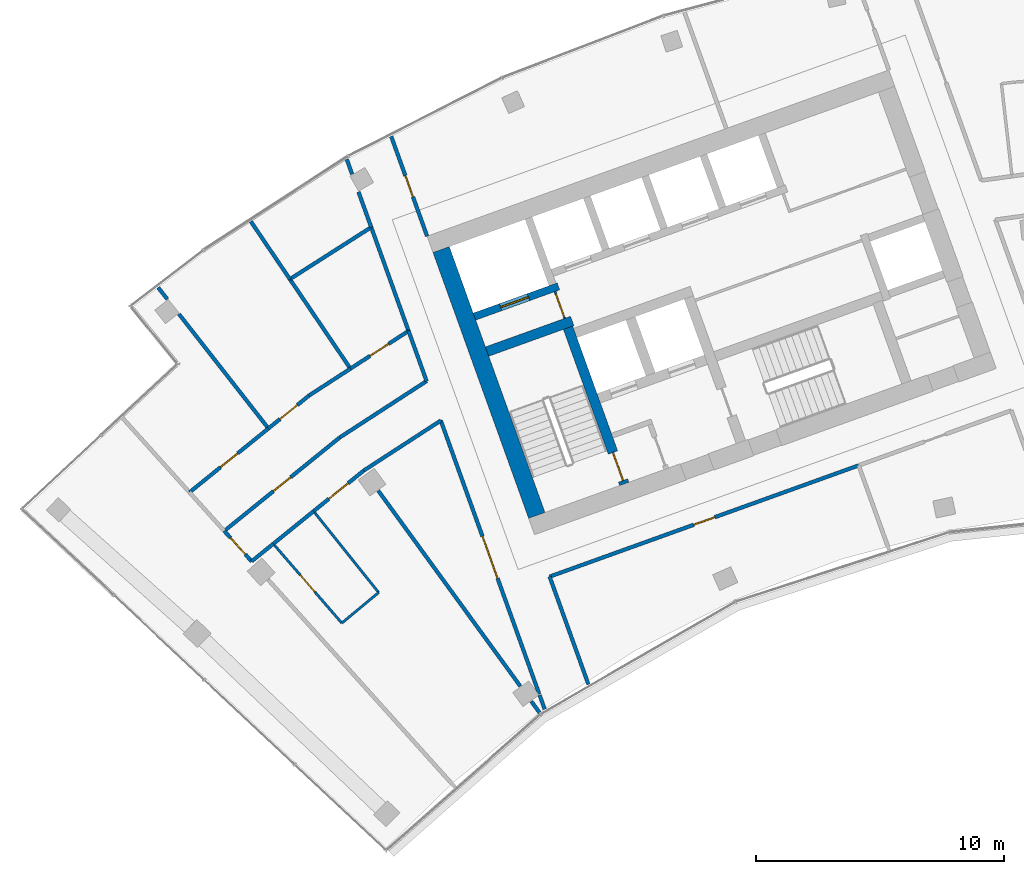
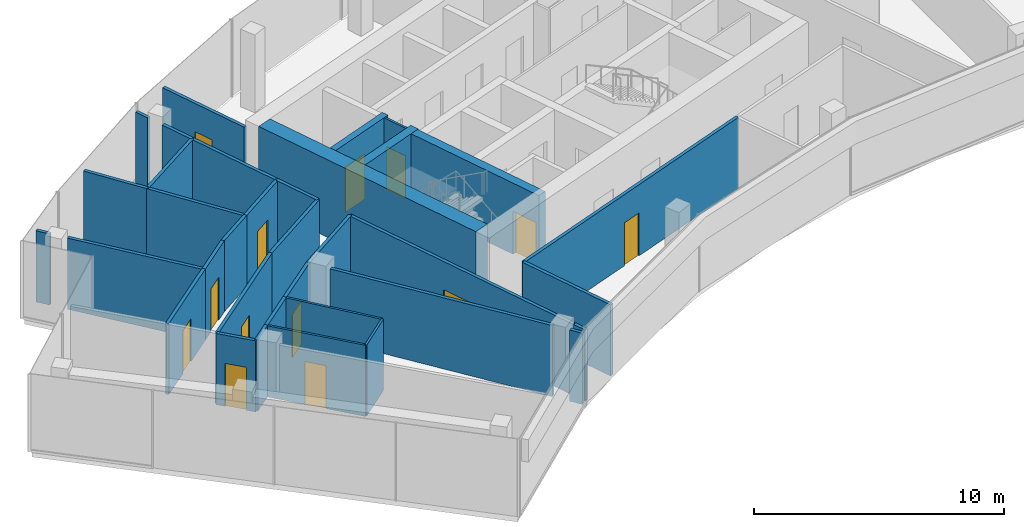
# One storey, part 12 of 18: 35 walls, 13 doors, 13 openings.
"""IFC4 building model written with IfcOpenShell, lengths in metres."""

from ifc_helpers import new_model, si_unit, direction, frame, frame_2d, origin, place, context, subcontext, project, spatial, rectangle, extrude, material, layer, layer_set, type_object, element, fill, save


model = new_model("IFC4")

# Units and contexts
model_context = context("Model", 3, precision=1e-05, world=origin(), true_north=direction((0.0, 1.0)))
body_context = subcontext(model_context, "Body", "Model", "MODEL_VIEW")
ifc_project = project(units=[si_unit("LENGTHUNIT", "METRE"), si_unit("AREAUNIT", "SQUARE_METRE"), si_unit("VOLUMEUNIT", "CUBIC_METRE"), si_unit("PLANEANGLEUNIT", "RADIAN"), si_unit("MASSUNIT", "GRAM", prefix="KILO")], contexts=[model_context])

# Site, building, storey
site_placement = place(None, origin())
site = spatial("IfcSite", under=ifc_project, at=site_placement, CompositionType="ELEMENT")
building_placement = place(site_placement, origin())
building = spatial("IfcBuilding", under=site, at=building_placement, Name="Stone Belt Terrace Tower", CompositionType="ELEMENT")
storey_placement = place(building_placement, frame((0.0, 0.0, 284.60009765625)))
storey = spatial("IfcBuildingStorey", under=building, at=storey_placement, Name="L69", CompositionType="ELEMENT", Elevation=284.60009765625)

# Wall, opening, door
ifc_material_1 = material(Name="Plasterboard partition")
ifc_layer_1 = layer(ifc_material_1, 0.10009765625)
ifc_layer_set_1 = layer_set([ifc_layer_1], Name="Core partition 100")
wall_type_1 = type_object("IfcWallType", Name="Core partition 100", PredefinedType="PARTITIONING", material=ifc_layer_set_1)
wall_1_placement = place(storey_placement, frame((-24.555908203125, 51.10400390625, 0.0), z_axis=(0.0, 0.0, 1.0), x_axis=(-0.338621735342, 0.94092258999, 0.0)))
wall_1 = element("IfcWall", 1, at=wall_1_placement, inside=storey, type_object=wall_type_1, Name="Core A wall", PredefinedType="PARTITIONING", context=body_context, shape_type="SweptSolid", body=[
    extrude(rectangle(XDim=1.14990234375, YDim=0.10009765625, at=frame_2d((0.574951171875, 0.0))), origin(), (0.0, 0.0, 1.0), 3.47998046875),
])
opening_1_placement = place(wall_1_placement, frame((0.050048828125, 0.0, 0.0)))
opening_1 = element("IfcOpeningElement", 2, at=opening_1_placement, cuts=wall_1, Name="Opening L69-C03", PredefinedType="OPENING", context=body_context, shape_type="SweptSolid", body=[
    extrude(rectangle(XDim=1.0, YDim=2.10009765625, at=frame_2d((0.5, 1.050048828125))), frame((0.0, 0.06005859375, 0.0), z_axis=(0.0, -1.0, 0.0), x_axis=(1.0, 0.0, 0.0)), (0.0, 0.0, 1.0), 0.1201171875),
])
ifc_material_2 = material(Name="Timber door leaf", Category="wood")
door_type_1 = type_object("IfcDoorType", Name="Core room door 1000", OperationType="SINGLE_SWING_LEFT", PredefinedType="DOOR", material=ifc_material_2)
door_1_placement = place(opening_1_placement, origin())
door_1 = element("IfcDoor", 3, at=door_1_placement, inside=storey, type_object=door_type_1, Name="Service lift lobby door core A", OperationType="SINGLE_SWING_RIGHT", OverallHeight=2.10009765625, OverallWidth=1.0, PredefinedType="DOOR", context=body_context, shape_type="SweptSolid", body=[
    extrude(rectangle(XDim=1.0, YDim=2.10009765625, at=frame_2d((0.5, 1.050048828125))), frame((0.0, 0.02490234375, 0.0), z_axis=(0.0, -1.0, 0.0), x_axis=(1.0, 0.0, 0.0)), (0.0, 0.0, 1.0), 0.050048828125),
])
fill(opening_1, door_1)

# Wall
ifc_material_3 = material(Name="Concrete B60", Category="concrete")
ifc_layer_2 = layer(ifc_material_3, 0.699951171875)
ifc_layer_set_2 = layer_set([ifc_layer_2], Name="Core wall 700 B60")
wall_type_2 = type_object("IfcWallType", Name="Core wall 700 B60", PredefinedType="SHEAR", material=ifc_layer_set_2)
wall_2_placement = place(storey_placement, frame((-25.679931640625, 43.153564453125, 0.0), z_axis=(0.0, 0.0, 1.0), x_axis=(-0.338625431531, 0.940921259788, 0.0)))
element("IfcWall", 4, at=wall_2_placement, inside=storey, type_object=wall_type_2, Name="Core A wall end_a L69", PredefinedType="SHEAR", context=body_context, shape_type="SweptSolid", body=[
    extrude(rectangle(XDim=11.400146484375, YDim=0.699951171875, at=frame_2d((5.7001953125, 0.0))), origin(), (0.0, 0.0, 1.0), 3.7998046875),
])

# Wall, opening, door
ifc_material_4 = material(Name="Concrete B80", Category="concrete")
ifc_layer_3 = layer(ifc_material_4, 0.300048828125)
ifc_layer_set_3 = layer_set([ifc_layer_3], Name="Lift shaft wall 300")
wall_type_3 = type_object("IfcWallType", Name="Lift shaft wall 300", PredefinedType="SHEAR", material=ifc_layer_set_3)
wall_3_placement = place(storey_placement, frame((-28.195068359375, 51.17578125, 0.0), z_axis=(0.0, 0.0, 1.0), x_axis=(0.940901243567, 0.338681044427, 0.0)))
wall_3 = element("IfcWall", 5, at=wall_3_placement, inside=storey, type_object=wall_type_3, Name="Core A wall", PredefinedType="SHEAR", context=body_context, shape_type="SweptSolid", body=[
    extrude(rectangle(XDim=3.599853515625, YDim=0.300048828125, at=frame_2d((1.7998046875, 0.0))), origin(), (0.0, 0.0, 1.0), 3.47998046875),
])
opening_2_placement = place(wall_3_placement, frame((1.1201171875, 0.0, 0.0)))
opening_2 = element("IfcOpeningElement", 6, at=opening_2_placement, cuts=wall_3, Name="Opening L69-LD07", PredefinedType="OPENING", context=body_context, shape_type="SweptSolid", body=[
    extrude(rectangle(XDim=1.199951171875, YDim=2.199951171875, at=frame_2d((0.60009765625, 1.10009765625))), frame((0.0, 0.159912109375, 0.0), z_axis=(0.0, -1.0, 0.0), x_axis=(1.0, 0.0, 0.0)), (0.0, 0.0, 1.0), 0.320068359375),
])
ifc_material_5 = material(Name="Stainless steel door leaf", Category="steel")
door_type_2 = type_object("IfcDoorType", Name="Landing door 1200", OperationType="SLIDING_TO_LEFT", PredefinedType="DOOR", material=ifc_material_5)
door_2_placement = place(opening_2_placement, origin())
door_2 = element("IfcDoor", 7, at=door_2_placement, inside=storey, type_object=door_type_2, Name="Landing door SV1 core A", OperationType="SLIDING_TO_LEFT", OverallHeight=2.199951171875, OverallWidth=1.199951171875, PredefinedType="DOOR", context=body_context, shape_type="SweptSolid", body=[
    extrude(rectangle(XDim=1.199951171875, YDim=2.199951171875, at=frame_2d((0.60009765625, 1.10009765625))), frame((0.0, 0.02490234375, 0.0), z_axis=(0.0, -1.0, 0.0), x_axis=(1.0, 0.0, 0.0)), (0.0, 0.0, 1.0), 0.050048828125),
])
fill(opening_2, door_2)

ifc_material_6 = material(Name="Gypsum board partition")
ifc_layer_4 = layer(ifc_material_6, 0.10009765625)
ifc_layer_set_4 = layer_set([ifc_layer_4], Name="PARTITION 100")
wall_type_4 = type_object("IfcWallType", Name="PARTITION 100", PredefinedType="PARTITIONING", material=ifc_layer_set_4)
wall_4_placement = place(storey_placement, frame((-36.31396484375, 42.007080078125, 0.0), z_axis=(0.0, 0.0, 1.0), x_axis=(0.654042132121, -0.756458121386, 0.0)))
wall_4 = element("IfcWall", 8, at=wall_4_placement, inside=storey, type_object=wall_type_4, Name="L69/wall/i046", PredefinedType="PARTITIONING", context=body_context, shape_type="SweptSolid", body=[
    extrude(rectangle(XDim=4.22900390625, YDim=0.10009765625, at=frame_2d((2.114501953125, 0.0))), origin(), (0.0, 0.0, 1.0), 3.47998046875),
])
opening_3_placement = place(wall_4_placement, frame((1.66455078125, 0.0, 0.0)))
opening_3 = element("IfcOpeningElement", 9, at=opening_3_placement, cuts=wall_4, Name="Opening D-E3-12", PredefinedType="OPENING", context=body_context, shape_type="SweptSolid", body=[
    extrude(rectangle(XDim=0.89990234375, YDim=2.10009765625, at=frame_2d((0.449951171875, 1.050048828125))), frame((0.0, 0.06005859375, 0.0), z_axis=(0.0, -1.0, 0.0), x_axis=(1.0, 0.0, 0.0)), (0.0, 0.0, 1.0), 0.1201171875),
])
door_type_3 = type_object("IfcDoorType", Name="OFFICE DOOR 900 X 2100", OperationType="NOTDEFINED", PredefinedType="DOOR", material=ifc_material_2)
door_3_placement = place(opening_3_placement, origin())
door_3 = element("IfcDoor", 10, at=door_3_placement, inside=storey, type_object=door_type_3, Name="L69/door/i12", OperationType="SINGLE_SWING_RIGHT", OverallHeight=2.10009765625, OverallWidth=0.89990234375, PredefinedType="DOOR", context=body_context, shape_type="SweptSolid", body=[
    extrude(rectangle(XDim=0.89990234375, YDim=2.10009765625, at=frame_2d((0.449951171875, 1.050048828125))), frame((0.0, 0.02490234375, 0.0), z_axis=(0.0, -1.0, 0.0), x_axis=(1.0, 0.0, 0.0)), (0.0, 0.0, 1.0), 0.050048828125),
])
fill(opening_3, door_3)

# Walls
wall_5_placement = place(storey_placement, frame((-33.548095703125, 38.80810546875, 0.0), z_axis=(0.0, 0.0, 1.0), x_axis=(0.768666471672, 0.639649791157, 0.0)))
element("IfcWall", 11, at=wall_5_placement, inside=storey, type_object=wall_type_4, Name="L69/wall/i047", PredefinedType="PARTITIONING", context=body_context, shape_type="SweptSolid", body=[
    extrude(rectangle(XDim=1.93212890625, YDim=0.10009765625, at=frame_2d((0.966064453125, 0.0))), origin(), (0.0, 0.0, 1.0), 3.47998046875),
])
wall_6_placement = place(storey_placement, frame((-32.06298828125, 40.0439453125, 0.0), z_axis=(0.0, 0.0, 1.0), x_axis=(-0.624950193121, 0.78066462461, 0.0)))
element("IfcWall", 12, at=wall_6_placement, inside=storey, type_object=wall_type_4, Name="L69/wall/i048", PredefinedType="PARTITIONING", context=body_context, shape_type="SweptSolid", body=[
    extrude(rectangle(XDim=4.200439453125, YDim=0.10009765625, at=frame_2d((2.10009765625, 0.0))), origin(), (0.0, 0.0, 1.0), 3.47998046875),
])
ifc_layer_5 = layer(ifc_material_6, 0.14990234375)
ifc_layer_set_5 = layer_set([ifc_layer_5], Name="PARTITION 150 EI 60")
wall_type_5 = type_object("IfcWallType", Name="PARTITION 150 EI 60", PredefinedType="PARTITIONING", material=ifc_layer_set_5)
wall_7_placement = place(storey_placement, frame((-25.1650390625, 40.68896484375, 0.0), z_axis=(0.0, 0.0, 1.0), x_axis=(0.338609342271, -0.94092704995, 0.0)))
element("IfcWall", 13, at=wall_7_placement, inside=storey, type_object=wall_type_5, Name="L69/wall/i001", PredefinedType="PARTITIONING", context=body_context, shape_type="SweptSolid", body=[
    extrude(rectangle(XDim=4.6318359375, YDim=0.14990234375, at=frame_2d((2.31591796875, 0.0))), origin(), (0.0, 0.0, 1.0), 3.47998046875),
])

# Wall, opening, door
wall_8_placement = place(storey_placement, frame((-31.556884765625, 58.4521484375, 0.0), z_axis=(0.0, 0.0, 1.0), x_axis=(0.338580264222, -0.940937513695, 0.0)))
wall_8 = element("IfcWall", 14, at=wall_8_placement, inside=storey, type_object=wall_type_5, Name="L69/wall/i002", PredefinedType="PARTITIONING", context=body_context, shape_type="SweptSolid", body=[
    extrude(rectangle(XDim=4.285400390625, YDim=0.14990234375, at=frame_2d((2.142578125, 0.0))), origin(), (0.0, 0.0, 1.0), 3.47998046875),
])
opening_4_placement = place(wall_8_placement, frame((1.692626953125, 0.0, 0.0)))
opening_4 = element("IfcOpeningElement", 15, at=opening_4_placement, cuts=wall_8, Name="Opening D-E3-03", PredefinedType="OPENING", context=body_context, shape_type="SweptSolid", body=[
    extrude(rectangle(XDim=0.89990234375, YDim=2.10009765625, at=frame_2d((0.449951171875, 1.050048828125))), frame((0.0, 0.0849609375, 0.0), z_axis=(0.0, -1.0, 0.0), x_axis=(1.0, 0.0, 0.0)), (0.0, 0.0, 1.0), 0.169921875),
])
door_4_placement = place(opening_4_placement, origin())
door_4 = element("IfcDoor", 16, at=door_4_placement, inside=storey, type_object=door_type_3, Name="L69/door/i03", OperationType="SINGLE_SWING_RIGHT", OverallHeight=2.10009765625, OverallWidth=0.89990234375, PredefinedType="DOOR", context=body_context, shape_type="SweptSolid", body=[
    extrude(rectangle(XDim=0.89990234375, YDim=2.10009765625, at=frame_2d((0.449951171875, 1.050048828125))), frame((0.0, 0.02490234375, 0.0), z_axis=(0.0, -1.0, 0.0), x_axis=(1.0, 0.0, 0.0)), (0.0, 0.0, 1.0), 0.050048828125),
])
fill(opening_4, door_4)

# Wall
wall_9_placement = place(storey_placement, frame((-25.361083984375, 35.329833984375, 0.0), z_axis=(0.0, 0.0, 1.0), x_axis=(-0.338633814852, 0.940918242696, 0.0)))
element("IfcWall", 17, at=wall_9_placement, inside=storey, type_object=wall_type_5, Name="L69/wall/i003", PredefinedType="PARTITIONING", context=body_context, shape_type="SweptSolid", body=[
    extrude(rectangle(XDim=0.605712890625, YDim=0.14990234375, at=frame_2d((0.302734375, 0.0))), origin(), (0.0, 0.0, 1.0), 3.47998046875),
])

# Wall, opening, door
wall_10_placement = place(storey_placement, frame((-25.5810546875, 35.94091796875, 0.0), z_axis=(0.0, 0.0, 1.0), x_axis=(-0.338660555828, 0.940908618265, 0.0)))
wall_10 = element("IfcWall", 18, at=wall_10_placement, inside=storey, type_object=wall_type_5, Name="L69/wall/i004", PredefinedType="PARTITIONING", context=body_context, shape_type="SweptSolid", body=[
    extrude(rectangle(XDim=11.73974609375, YDim=0.14990234375, at=frame_2d((5.869873046875, 0.0))), origin(), (0.0, 0.0, 1.0), 3.47998046875),
])
opening_5_placement = place(wall_10_placement, frame((4.969970703125, 0.0, 0.0)))
opening_5 = element("IfcOpeningElement", 19, at=opening_5_placement, cuts=wall_10, Name="Opening D-E3-10", PredefinedType="OPENING", context=body_context, shape_type="SweptSolid", body=[
    extrude(rectangle(XDim=1.800048828125, YDim=2.10009765625, at=frame_2d((0.89990234375, 1.050048828125))), frame((0.0, 0.0849609375, 0.0), z_axis=(0.0, -1.0, 0.0), x_axis=(1.0, 0.0, 0.0)), (0.0, 0.0, 1.0), 0.169921875),
])
door_type_4 = type_object("IfcDoorType", Name="DOUBLE DOOR 1800 X 2100", OperationType="DOUBLE_DOOR_SINGLE_SWING", PredefinedType="DOOR", material=ifc_material_2)
door_5_placement = place(opening_5_placement, origin())
door_5 = element("IfcDoor", 20, at=door_5_placement, inside=storey, type_object=door_type_4, Name="L69/door/i10", OperationType="DOUBLE_DOOR_SINGLE_SWING", OverallHeight=2.10009765625, OverallWidth=1.800048828125, PredefinedType="DOOR", context=body_context, shape_type="SweptSolid", body=[
    extrude(rectangle(XDim=1.800048828125, YDim=2.10009765625, at=frame_2d((0.89990234375, 1.050048828125))), frame((0.0, 0.02490234375, 0.0), z_axis=(0.0, -1.0, 0.0), x_axis=(1.0, 0.0, 0.0)), (0.0, 0.0, 1.0), 0.050048828125),
])
fill(opening_5, door_5)

# Walls
wall_11_placement = place(storey_placement, frame((-30.1259765625, 48.568115234375, 0.0), z_axis=(0.0, 0.0, 1.0), x_axis=(-0.338315840616, 0.941032620045, 0.0)))
element("IfcWall", 21, at=wall_11_placement, inside=storey, type_object=wall_type_5, Name="L69/wall/i005", PredefinedType="PARTITIONING", context=body_context, shape_type="SweptSolid", body=[
    extrude(rectangle(XDim=2.16357421875, YDim=0.14990234375, at=frame_2d((1.081787109375, 0.0))), origin(), (0.0, 0.0, 1.0), 3.47998046875),
])
wall_12_placement = place(storey_placement, frame((-30.85400390625, 50.592041015625, 0.0), z_axis=(0.0, 0.0, 1.0), x_axis=(-0.338676809605, 0.940902767897, 0.0)))
element("IfcWall", 22, at=wall_12_placement, inside=storey, type_object=wall_type_5, Name="L69/wall/i006", PredefinedType="PARTITIONING", context=body_context, shape_type="SweptSolid", body=[
    extrude(rectangle(XDim=4.45849609375, YDim=0.14990234375, at=frame_2d((2.229248046875, 0.0))), origin(), (0.0, 0.0, 1.0), 3.47998046875),
])
wall_13_placement = place(storey_placement, frame((-32.360107421875, 54.77490234375, 0.0), z_axis=(0.0, 0.0, 1.0), x_axis=(-0.338469522462, 0.940977354863, 0.0)))
element("IfcWall", 23, at=wall_13_placement, inside=storey, type_object=wall_type_5, Name="L69/wall/i007", PredefinedType="PARTITIONING", context=body_context, shape_type="SweptSolid", body=[
    extrude(rectangle(XDim=1.52197265625, YDim=0.14990234375, at=frame_2d((0.760986328125, 0.0))), origin(), (0.0, 0.0, 1.0), 3.47998046875),
])
wall_14_placement = place(storey_placement, frame((-33.134765625, 56.928466796875, 0.0), z_axis=(0.0, 0.0, 1.0), x_axis=(-0.338733145318, 0.94088248802, 0.0)))
element("IfcWall", 24, at=wall_14_placement, inside=storey, type_object=wall_type_5, Name="L69/wall/i008", PredefinedType="PARTITIONING", context=body_context, shape_type="SweptSolid", body=[
    extrude(rectangle(XDim=0.632080078125, YDim=0.14990234375, at=frame_2d((0.31591796875, 0.0))), origin(), (0.0, 0.0, 1.0), 3.47998046875),
])

# Wall, opening, door
wall_15_placement = place(storey_placement, frame((-12.68798828125, 45.173095703125, 0.0), z_axis=(0.0, 0.0, 1.0), x_axis=(-0.940912526234, -0.338649698031, 0.0)))
wall_15 = element("IfcWall", 25, at=wall_15_placement, inside=storey, type_object=wall_type_5, Name="L69/wall/i013", PredefinedType="PARTITIONING", context=body_context, shape_type="SweptSolid", body=[
    extrude(rectangle(XDim=13.258544921875, YDim=0.14990234375, at=frame_2d((6.62939453125, 0.0))), origin(), (0.0, 0.0, 1.0), 3.47998046875),
])
opening_6_placement = place(wall_15_placement, frame((6.17919921875, 0.0, 0.0)))
opening_6 = element("IfcOpeningElement", 26, at=opening_6_placement, cuts=wall_15, Name="Opening D-E3-01", PredefinedType="OPENING", context=body_context, shape_type="SweptSolid", body=[
    extrude(rectangle(XDim=0.89990234375, YDim=2.10009765625, at=frame_2d((0.449951171875, 1.050048828125))), frame((0.0, 0.0849609375, 0.0), z_axis=(0.0, -1.0, 0.0), x_axis=(1.0, 0.0, 0.0)), (0.0, 0.0, 1.0), 0.169921875),
])
door_6_placement = place(opening_6_placement, origin())
door_6 = element("IfcDoor", 27, at=door_6_placement, inside=storey, type_object=door_type_3, Name="L69/door/i01", OperationType="SINGLE_SWING_RIGHT", OverallHeight=2.10009765625, OverallWidth=0.89990234375, PredefinedType="DOOR", context=body_context, shape_type="SweptSolid", body=[
    extrude(rectangle(XDim=0.89990234375, YDim=2.10009765625, at=frame_2d((0.449951171875, 1.050048828125))), frame((0.0, 0.02490234375, 0.0), z_axis=(0.0, -1.0, 0.0), x_axis=(1.0, 0.0, 0.0)), (0.0, 0.0, 1.0), 0.050048828125),
])
fill(opening_6, door_6)

wall_16_placement = place(storey_placement, frame((-37.18310546875, 41.294921875, 0.0), z_axis=(0.0, 0.0, 1.0), x_axis=(-0.669037778615, 0.743228397456, 0.0)))
wall_16 = element("IfcWall", 28, at=wall_16_placement, inside=storey, type_object=wall_type_5, Name="L69/wall/i034", PredefinedType="PARTITIONING", context=body_context, shape_type="SweptSolid", body=[
    extrude(rectangle(XDim=1.661865234375, YDim=0.14990234375, at=frame_2d((0.8310546875, 0.0))), origin(), (0.0, 0.0, 1.0), 3.47998046875),
])
opening_7_placement = place(wall_16_placement, frame((0.380859375, 0.0, 0.0)))
opening_7 = element("IfcOpeningElement", 29, at=opening_7_placement, cuts=wall_16, Name="Opening D-E3-09", PredefinedType="OPENING", context=body_context, shape_type="SweptSolid", body=[
    extrude(rectangle(XDim=0.89990234375, YDim=2.10009765625, at=frame_2d((0.449951171875, 1.050048828125))), frame((0.0, 0.0849609375, 0.0), z_axis=(0.0, -1.0, 0.0), x_axis=(1.0, 0.0, 0.0)), (0.0, 0.0, 1.0), 0.169921875),
])
door_7_placement = place(opening_7_placement, origin())
door_7 = element("IfcDoor", 30, at=door_7_placement, inside=storey, type_object=door_type_3, Name="L69/door/i09", OperationType="SINGLE_SWING_RIGHT", OverallHeight=2.10009765625, OverallWidth=0.89990234375, PredefinedType="DOOR", context=body_context, shape_type="SweptSolid", body=[
    extrude(rectangle(XDim=0.89990234375, YDim=2.10009765625, at=frame_2d((0.449951171875, 1.050048828125))), frame((0.0, 0.02490234375, 0.0), z_axis=(0.0, -1.0, 0.0), x_axis=(1.0, 0.0, 0.0)), (0.0, 0.0, 1.0), 0.050048828125),
])
fill(opening_7, door_7)

# Walls
wall_17_placement = place(storey_placement, frame((-29.554931640625, 46.98095703125, 0.0), z_axis=(0.0, 0.0, 1.0), x_axis=(-0.838712683411, -0.544574177395, 0.0)))
element("IfcWall", 31, at=wall_17_placement, inside=storey, type_object=wall_type_5, Name="L69/wall/i038", PredefinedType="PARTITIONING", context=body_context, shape_type="SweptSolid", body=[
    extrude(rectangle(XDim=3.70947265625, YDim=0.14990234375, at=frame_2d((1.854736328125, 0.0))), origin(), (0.0, 0.0, 1.0), 3.47998046875),
])
wall_18_placement = place(storey_placement, frame((-36.31005859375, 42.010986328125, 0.0), z_axis=(0.0, 0.0, 1.0), x_axis=(-0.77680149555, -0.629745533141, 0.0)))
element("IfcWall", 32, at=wall_18_placement, inside=storey, type_object=wall_type_5, Name="L69/wall/i039", PredefinedType="PARTITIONING", context=body_context, shape_type="SweptSolid", body=[
    extrude(rectangle(XDim=1.12890625, YDim=0.14990234375, at=frame_2d((0.564453125, 0.0))), origin(), (0.0, 0.0, 1.0), 3.47998046875),
])

# Wall, opening, door
wall_19_placement = place(storey_placement, frame((-32.666015625, 44.9609375, 0.0), z_axis=(0.0, 0.0, 1.0), x_axis=(-0.777266670471, -0.629171298595, 0.0)))
wall_19 = element("IfcWall", 33, at=wall_19_placement, inside=storey, type_object=wall_type_5, Name="L69/wall/i040", PredefinedType="PARTITIONING", context=body_context, shape_type="SweptSolid", body=[
    extrude(rectangle(XDim=2.60791015625, YDim=0.14990234375, at=frame_2d((1.303955078125, 0.0))), origin(), (0.0, 0.0, 1.0), 3.47998046875),
])
opening_8_placement = place(wall_19_placement, frame((0.803955078125, 0.0, 0.0)))
opening_8 = element("IfcOpeningElement", 34, at=opening_8_placement, cuts=wall_19, Name="Opening D-E3-11", PredefinedType="OPENING", context=body_context, shape_type="SweptSolid", body=[
    extrude(rectangle(XDim=1.0, YDim=2.10009765625, at=frame_2d((0.5, 1.050048828125))), frame((0.0, 0.0849609375, 0.0), z_axis=(0.0, -1.0, 0.0), x_axis=(1.0, 0.0, 0.0)), (0.0, 0.0, 1.0), 0.169921875),
])
ifc_material_7 = material(Name="Timber fire door leaf", Category="wood")
door_type_5 = type_object("IfcDoorType", Name="TENANCY ENTRANCE DOOR 1000 X 2100", OperationType="NOTDEFINED", PredefinedType="DOOR", material=ifc_material_7)
door_8_placement = place(opening_8_placement, origin())
door_8 = element("IfcDoor", 35, at=door_8_placement, inside=storey, type_object=door_type_5, Name="L69/door/i11", OperationType="SINGLE_SWING_RIGHT", OverallHeight=2.10009765625, OverallWidth=1.0, PredefinedType="DOOR", context=body_context, shape_type="SweptSolid", body=[
    extrude(rectangle(XDim=1.0, YDim=2.10009765625, at=frame_2d((0.5, 1.050048828125))), frame((0.0, 0.02490234375, 0.0), z_axis=(0.0, -1.0, 0.0), x_axis=(1.0, 0.0, 0.0)), (0.0, 0.0, 1.0), 0.050048828125),
])
fill(opening_8, door_8)

# Wall
wall_20_placement = place(storey_placement, frame((-34.68408203125, 43.326904296875, 0.0), z_axis=(0.0, 0.0, 1.0), x_axis=(-0.77715298026, -0.629311723451, 0.0)))
element("IfcWall", 36, at=wall_20_placement, inside=storey, type_object=wall_type_5, Name="L69/wall/i041", PredefinedType="PARTITIONING", context=body_context, shape_type="SweptSolid", body=[
    extrude(rectangle(XDim=2.103759765625, YDim=0.14990234375, at=frame_2d((1.0517578125, 0.0))), origin(), (0.0, 0.0, 1.0), 3.47998046875),
])

# Wall, opening, door
wall_21_placement = place(storey_placement, frame((-38.291015625, 42.52587890625, 0.0), z_axis=(0.0, 0.0, 1.0), x_axis=(0.777109127033, 0.629365875054, 0.0)))
wall_21 = element("IfcWall", 37, at=wall_21_placement, inside=storey, type_object=wall_type_5, Name="L69/wall/i042", PredefinedType="PARTITIONING", context=body_context, shape_type="SweptSolid", body=[
    extrude(rectangle(XDim=5.990234375, YDim=0.14990234375, at=frame_2d((2.9951171875, 0.0))), origin(), (0.0, 0.0, 1.0), 3.47998046875),
])
opening_9_placement = place(wall_21_placement, frame((2.545166015625, 0.0, 0.0)))
opening_9 = element("IfcOpeningElement", 38, at=opening_9_placement, cuts=wall_21, Name="Opening D-E3-13", PredefinedType="OPENING", context=body_context, shape_type="SweptSolid", body=[
    extrude(rectangle(XDim=0.89990234375, YDim=2.10009765625, at=frame_2d((0.449951171875, 1.050048828125))), frame((0.0, 0.0849609375, 0.0), z_axis=(0.0, -1.0, 0.0), x_axis=(1.0, 0.0, 0.0)), (0.0, 0.0, 1.0), 0.169921875),
])
door_9_placement = place(opening_9_placement, origin())
door_9 = element("IfcDoor", 39, at=door_9_placement, inside=storey, type_object=door_type_3, Name="L69/door/i13", OperationType="SINGLE_SWING_RIGHT", OverallHeight=2.10009765625, OverallWidth=0.89990234375, PredefinedType="DOOR", context=body_context, shape_type="SweptSolid", body=[
    extrude(rectangle(XDim=0.89990234375, YDim=2.10009765625, at=frame_2d((0.449951171875, 1.050048828125))), frame((0.0, 0.02490234375, 0.0), z_axis=(0.0, -1.0, 0.0), x_axis=(1.0, 0.0, 0.0)), (0.0, 0.0, 1.0), 0.050048828125),
])
fill(opening_9, door_9)

# Walls
wall_22_placement = place(storey_placement, frame((-33.635986328125, 46.2958984375, 0.0), z_axis=(0.0, 0.0, 1.0), x_axis=(0.838679571288, 0.544625170832, 0.0)))
element("IfcWall", 40, at=wall_22_placement, inside=storey, type_object=wall_type_5, Name="L69/wall/i043", PredefinedType="PARTITIONING", context=body_context, shape_type="SweptSolid", body=[
    extrude(rectangle(XDim=4.182861328125, YDim=0.14990234375, at=frame_2d((2.09130859375, 0.0))), origin(), (0.0, 0.0, 1.0), 3.47998046875),
])
wall_23_placement = place(storey_placement, frame((-25.568115234375, 35.192138671875, 0.0), z_axis=(0.0, 0.0, 1.0), x_axis=(-0.588120346537, 0.808773428093, 0.0)))
element("IfcWall", 41, at=wall_23_placement, inside=storey, type_object=wall_type_5, Name="L69/wall/i044", PredefinedType="PARTITIONING", context=body_context, shape_type="SweptSolid", body=[
    extrude(rectangle(XDim=0.5654296875, YDim=0.14990234375, at=frame_2d((0.28271484375, 0.0))), origin(), (0.0, 0.0, 1.0), 3.47998046875),
])
wall_24_placement = place(storey_placement, frame((-26.34716796875, 36.264404296875, 0.0), z_axis=(0.0, 0.0, 1.0), x_axis=(-0.587809662232, 0.808999258953, 0.0)))
element("IfcWall", 42, at=wall_24_placement, inside=storey, type_object=wall_type_5, Name="L69/wall/i045", PredefinedType="PARTITIONING", context=body_context, shape_type="SweptSolid", body=[
    extrude(rectangle(XDim=9.7451171875, YDim=0.14990234375, at=frame_2d((4.87255859375, 0.0))), origin(), (0.0, 0.0, 1.0), 3.47998046875),
])

# Wall, opening, door
wall_25_placement = place(storey_placement, frame((-39.694091796875, 44.0849609375, 0.0), z_axis=(0.0, 0.0, 1.0), x_axis=(0.777210230824, 0.629241016703, 0.0)))
wall_25 = element("IfcWall", 43, at=wall_25_placement, inside=storey, type_object=wall_type_5, Name="L69/wall/i049", PredefinedType="PARTITIONING", context=body_context, shape_type="SweptSolid", body=[
    extrude(rectangle(XDim=4.103515625, YDim=0.14990234375, at=frame_2d((2.0517578125, 0.0))), origin(), (0.0, 0.0, 1.0), 3.47998046875),
])
opening_10_placement = place(wall_25_placement, frame((1.6015625, 0.0, 0.0)))
opening_10 = element("IfcOpeningElement", 44, at=opening_10_placement, cuts=wall_25, Name="Opening D-E3-14", PredefinedType="OPENING", context=body_context, shape_type="SweptSolid", body=[
    extrude(rectangle(XDim=0.89990234375, YDim=2.10009765625, at=frame_2d((0.449951171875, 1.050048828125))), frame((0.0, 0.0849609375, 0.0), z_axis=(0.0, -1.0, 0.0), x_axis=(1.0, 0.0, 0.0)), (0.0, 0.0, 1.0), 0.169921875),
])
door_10_placement = place(opening_10_placement, origin())
door_10 = element("IfcDoor", 45, at=door_10_placement, inside=storey, type_object=door_type_3, Name="L69/door/i14", OperationType="SINGLE_SWING_RIGHT", OverallHeight=2.10009765625, OverallWidth=0.89990234375, PredefinedType="DOOR", context=body_context, shape_type="SweptSolid", body=[
    extrude(rectangle(XDim=0.89990234375, YDim=2.10009765625, at=frame_2d((0.449951171875, 1.050048828125))), frame((0.0, 0.02490234375, 0.0), z_axis=(0.0, -1.0, 0.0), x_axis=(1.0, 0.0, 0.0)), (0.0, 0.0, 1.0), 0.050048828125),
])
fill(opening_10, door_10)

wall_26_placement = place(storey_placement, frame((-36.513916015625, 46.659912109375, 0.0), z_axis=(0.0, 0.0, 1.0), x_axis=(0.777164283985, 0.629297763939, 0.0)))
wall_26 = element("IfcWall", 46, at=wall_26_placement, inside=storey, type_object=wall_type_5, Name="L69/wall/i050", PredefinedType="PARTITIONING", context=body_context, shape_type="SweptSolid", body=[
    extrude(rectangle(XDim=2.11669921875, YDim=0.14990234375, at=frame_2d((1.058349609375, 0.0))), origin(), (0.0, 0.0, 1.0), 3.47998046875),
])
opening_11_placement = place(wall_26_placement, frame((0.6083984375, 0.0, 0.0)))
opening_11 = element("IfcOpeningElement", 47, at=opening_11_placement, cuts=wall_26, Name="Opening D-E3-15", PredefinedType="OPENING", context=body_context, shape_type="SweptSolid", body=[
    extrude(rectangle(XDim=0.89990234375, YDim=2.10009765625, at=frame_2d((0.449951171875, 1.050048828125))), frame((0.0, 0.0849609375, 0.0), z_axis=(0.0, -1.0, 0.0), x_axis=(1.0, 0.0, 0.0)), (0.0, 0.0, 1.0), 0.169921875),
])
door_11_placement = place(opening_11_placement, origin())
door_11 = element("IfcDoor", 48, at=door_11_placement, inside=storey, type_object=door_type_3, Name="L69/door/i15", OperationType="SINGLE_SWING_RIGHT", OverallHeight=2.10009765625, OverallWidth=0.89990234375, PredefinedType="DOOR", context=body_context, shape_type="SweptSolid", body=[
    extrude(rectangle(XDim=0.89990234375, YDim=2.10009765625, at=frame_2d((0.449951171875, 1.050048828125))), frame((0.0, 0.02490234375, 0.0), z_axis=(0.0, -1.0, 0.0), x_axis=(1.0, 0.0, 0.0)), (0.0, 0.0, 1.0), 0.050048828125),
])
fill(opening_11, door_11)

# Wall
wall_27_placement = place(storey_placement, frame((-34.868896484375, 47.991943359375, 0.0), z_axis=(0.0, 0.0, 1.0), x_axis=(0.838767892149, 0.544489139562, 0.0)))
element("IfcWall", 49, at=wall_27_placement, inside=storey, type_object=wall_type_5, Name="L69/wall/i051", PredefinedType="PARTITIONING", context=body_context, shape_type="SweptSolid", body=[
    extrude(rectangle(XDim=1.994384765625, YDim=0.14990234375, at=frame_2d((0.9970703125, 0.0))), origin(), (0.0, 0.0, 1.0), 3.47998046875),
])

# Wall, opening, door
wall_28_placement = place(storey_placement, frame((-33.2060546875, 49.072021484375, 0.0), z_axis=(0.0, 0.0, 1.0), x_axis=(0.838718223529, 0.544565644822, 0.0)))
wall_28 = element("IfcWall", 50, at=wall_28_placement, inside=storey, type_object=wall_type_5, Name="L69/wall/i052", PredefinedType="PARTITIONING", context=body_context, shape_type="SweptSolid", body=[
    extrude(rectangle(XDim=2.802001953125, YDim=0.14990234375, at=frame_2d((1.40087890625, 0.0))), origin(), (0.0, 0.0, 1.0), 3.47998046875),
])
opening_12_placement = place(wall_28_placement, frame((0.950927734375, 0.0, 0.0)))
opening_12 = element("IfcOpeningElement", 51, at=opening_12_placement, cuts=wall_28, Name="Opening D-E3-16", PredefinedType="OPENING", context=body_context, shape_type="SweptSolid", body=[
    extrude(rectangle(XDim=0.89990234375, YDim=2.10009765625, at=frame_2d((0.449951171875, 1.050048828125))), frame((0.0, 0.0849609375, 0.0), z_axis=(0.0, -1.0, 0.0), x_axis=(1.0, 0.0, 0.0)), (0.0, 0.0, 1.0), 0.169921875),
])
door_12_placement = place(opening_12_placement, origin())
door_12 = element("IfcDoor", 52, at=door_12_placement, inside=storey, type_object=door_type_3, Name="L69/door/i16", OperationType="SINGLE_SWING_RIGHT", OverallHeight=2.10009765625, OverallWidth=0.89990234375, PredefinedType="DOOR", context=body_context, shape_type="SweptSolid", body=[
    extrude(rectangle(XDim=0.89990234375, YDim=2.10009765625, at=frame_2d((0.449951171875, 1.050048828125))), frame((0.0, 0.02490234375, 0.0), z_axis=(0.0, -1.0, 0.0), x_axis=(1.0, 0.0, 0.0)), (0.0, 0.0, 1.0), 0.050048828125),
])
fill(opening_12, door_12)

# Walls
wall_29_placement = place(storey_placement, frame((-40.963623046875, 52.356689453125, 0.0), z_axis=(0.0, 0.0, 1.0), x_axis=(0.616134966401, -0.787640592642, 0.0)))
element("IfcWall", 53, at=wall_29_placement, inside=storey, type_object=wall_type_5, Name="L69/wall/i053", PredefinedType="PARTITIONING", context=body_context, shape_type="SweptSolid", body=[
    extrude(rectangle(XDim=0.60791015625, YDim=0.14990234375, at=frame_2d((0.303955078125, 0.0))), origin(), (0.0, 0.0, 1.0), 3.47998046875),
])
wall_30_placement = place(storey_placement, frame((-40.120849609375, 51.279541015625, 0.0), z_axis=(0.0, 0.0, 1.0), x_axis=(0.616173451087, -0.787610486329, 0.0)))
element("IfcWall", 54, at=wall_30_placement, inside=storey, type_object=wall_type_5, Name="L69/wall/i054", PredefinedType="PARTITIONING", context=body_context, shape_type="SweptSolid", body=[
    extrude(rectangle(XDim=5.860107421875, YDim=0.14990234375, at=frame_2d((2.93017578125, 0.0))), origin(), (0.0, 0.0, 1.0), 3.47998046875),
])
wall_31_placement = place(storey_placement, frame((-35.64697265625, 52.69091796875, 0.0), z_axis=(0.0, 0.0, 1.0), x_axis=(0.560301468636, -0.82828875656, 0.0)))
element("IfcWall", 55, at=wall_31_placement, inside=storey, type_object=wall_type_5, Name="L69/wall/i055", PredefinedType="PARTITIONING", context=body_context, shape_type="SweptSolid", body=[
    extrude(rectangle(XDim=4.365478515625, YDim=0.14990234375, at=frame_2d((2.1826171875, 0.0))), origin(), (0.0, 0.0, 1.0), 3.47998046875),
])
wall_32_placement = place(storey_placement, frame((-37.218017578125, 55.013916015625, 0.0), z_axis=(0.0, 0.0, 1.0), x_axis=(0.56028837955, -0.828297610609, 0.0)))
element("IfcWall", 56, at=wall_32_placement, inside=storey, type_object=wall_type_5, Name="L69/wall/i056", PredefinedType="PARTITIONING", context=body_context, shape_type="SweptSolid", body=[
    extrude(rectangle(XDim=2.816650390625, YDim=0.14990234375, at=frame_2d((1.408203125, 0.0))), origin(), (0.0, 0.0, 1.0), 3.47998046875),
])
wall_33_placement = place(storey_placement, frame((-35.64404296875, 52.68603515625, 0.0), z_axis=(0.0, 0.0, 1.0), x_axis=(0.842911923686, 0.538051567146, 0.0)))
element("IfcWall", 57, at=wall_33_placement, inside=storey, type_object=wall_type_5, Name="L69/wall/i057", PredefinedType="PARTITIONING", context=body_context, shape_type="SweptSolid", body=[
    extrude(rectangle(XDim=3.8935546875, YDim=0.14990234375, at=frame_2d((1.94677734375, 0.0))), origin(), (0.0, 0.0, 1.0), 3.47998046875),
])
ifc_layer_6 = layer(ifc_material_4, 0.39990234375)
ifc_layer_set_6 = layer_set([ifc_layer_6], Name="Stair enclosure wall 400")
wall_type_6 = type_object("IfcWallType", Name="Stair enclosure wall 400", PredefinedType="SHEAR", material=ifc_layer_set_6)
wall_34_placement = place(storey_placement, frame((-27.687255859375, 49.764404296875, 0.0), z_axis=(0.0, 0.0, 1.0), x_axis=(0.940918954884, 0.338631835981, 0.0)))
element("IfcWall", 58, at=wall_34_placement, inside=storey, type_object=wall_type_6, Name="Core A wall", PredefinedType="SHEAR", context=body_context, shape_type="SweptSolid", body=[
    extrude(rectangle(XDim=3.650146484375, YDim=0.39990234375, at=frame_2d((1.8251953125, 0.0))), origin(), (0.0, 0.0, 1.0), 3.47998046875),
])

# Wall, opening, door
wall_35_placement = place(storey_placement, frame((-22.151611328125, 44.42333984375, 0.0), z_axis=(0.0, 0.0, 1.0), x_axis=(-0.338625272931, 0.940921316866, 0.0)))
wall_35 = element("IfcWall", 59, at=wall_35_placement, inside=storey, type_object=wall_type_6, Name="Core A wall", PredefinedType="SHEAR", context=body_context, shape_type="SweptSolid", body=[
    extrude(rectangle(XDim=6.699951171875, YDim=0.39990234375, at=frame_2d((3.35009765625, 0.0))), origin(), (0.0, 0.0, 1.0), 3.47998046875),
])
opening_13_placement = place(wall_35_placement, frame((0.14990234375, 0.0, 0.0)))
opening_13 = element("IfcOpeningElement", 60, at=opening_13_placement, cuts=wall_35, Name="Opening L69-C05", PredefinedType="OPENING", context=body_context, shape_type="SweptSolid", body=[
    extrude(rectangle(XDim=1.199951171875, YDim=2.10009765625, at=frame_2d((0.60009765625, 1.050048828125))), frame((0.0, 0.2099609375, 0.0), z_axis=(0.0, -1.0, 0.0), x_axis=(1.0, 0.0, 0.0)), (0.0, 0.0, 1.0), 0.419921875),
])
ifc_material_8 = material(Name="Steel door leaf", Category="steel")
door_type_6 = type_object("IfcDoorType", Name="Stair door 1200", OperationType="SINGLE_SWING_LEFT", PredefinedType="DOOR", material=ifc_material_8)
door_13_placement = place(opening_13_placement, origin())
door_13 = element("IfcDoor", 61, at=door_13_placement, inside=storey, type_object=door_type_6, Name="Stair 1 door core A", OperationType="SINGLE_SWING_RIGHT", OverallHeight=2.10009765625, OverallWidth=1.199951171875, PredefinedType="DOOR", context=body_context, shape_type="SweptSolid", body=[
    extrude(rectangle(XDim=1.199951171875, YDim=2.10009765625, at=frame_2d((0.60009765625, 1.050048828125))), frame((0.0, 0.02490234375, 0.0), z_axis=(0.0, -1.0, 0.0), x_axis=(1.0, 0.0, 0.0)), (0.0, 0.0, 1.0), 0.050048828125),
])
fill(opening_13, door_13)

save(model, "model.ifc")
